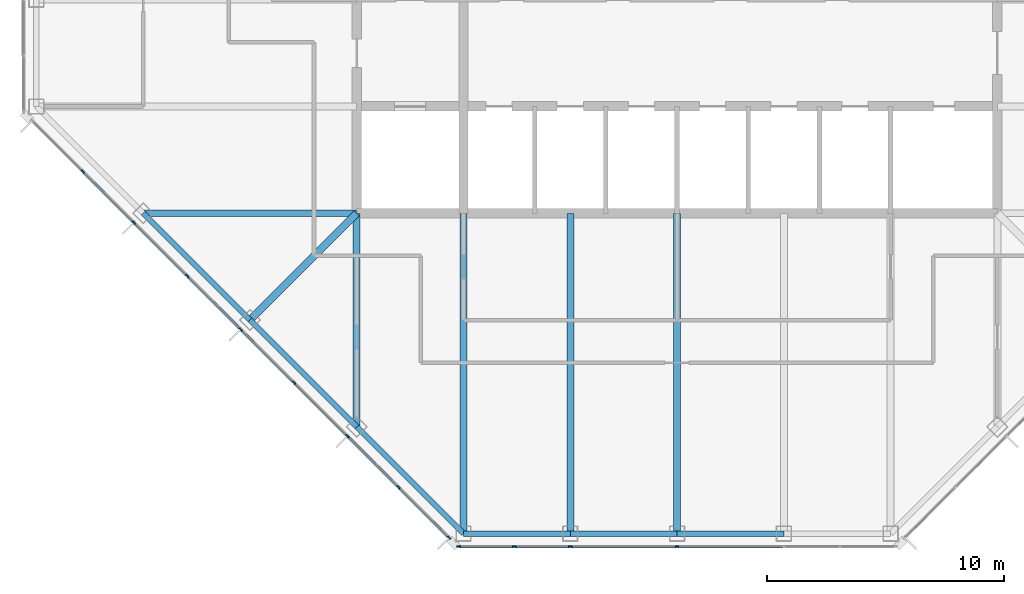
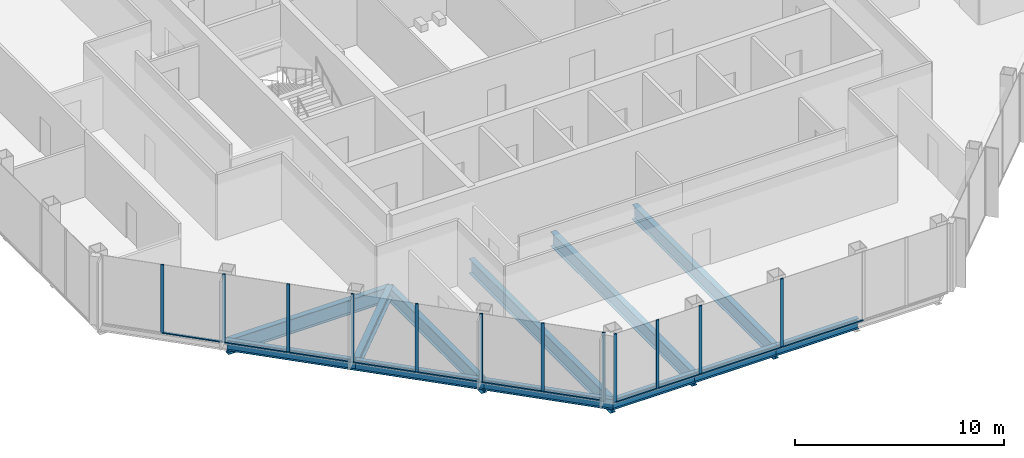
# One storey, part 2 of 14: 23 members, 12 beams, 2 elements without a shape of their own.
"""IFC4 building model written with IfcOpenShell, lengths in metres."""

from ifc_helpers import new_model, si_unit, direction, frame, origin, origin_2d, place, context, subcontext, project, spatial, rectangle, i_section, extrude, material, material_profile, profile_set, type_object, element, aggregate, save


model = new_model("IFC4")

# Units and contexts
model_context = context("Model", 3, precision=1e-05, world=origin(), true_north=direction((0.0, 1.0)))
body_context = subcontext(model_context, "Body", "Model", "MODEL_VIEW")
ifc_project = project(units=[si_unit("LENGTHUNIT", "METRE"), si_unit("AREAUNIT", "SQUARE_METRE"), si_unit("VOLUMEUNIT", "CUBIC_METRE"), si_unit("PLANEANGLEUNIT", "RADIAN"), si_unit("MASSUNIT", "GRAM", prefix="KILO")], contexts=[model_context])

# Site, building, storey
site_placement = place(None, origin())
site = spatial("IfcSite", under=ifc_project, at=site_placement, CompositionType="ELEMENT")
building_placement = place(site_placement, origin())
building = spatial("IfcBuilding", under=site, at=building_placement, Name="Corais Broadcast Tower", CompositionType="ELEMENT")
storey_placement = place(building_placement, frame((0.0, 0.0, 218.60009765625)))
storey = spatial("IfcBuildingStorey", under=building, at=storey_placement, Name="L50", CompositionType="ELEMENT", Elevation=218.60009765625)

# Beams
ifc_material_1 = material(Name="Steel ASTM A572 Grade 50", Category="steel")
ifc_material_profile_1 = material_profile(ifc_material_1, i_section(OverallWidth=0.323974609375, OverallDepth=0.611083984375, WebThickness=0.0126953125, FlangeThickness=0.01904296875, at=origin_2d()), Name="W610x155")
ifc_profile_set_1 = profile_set([ifc_material_profile_1], Name="Steel ASTM A572 Grade 50")
beam_type_1 = type_object("IfcBeamType", Name="Corner diagonal W610x155", PredefinedType="BEAM", material=ifc_profile_set_1)
beam_1_placement = place(storey_placement, frame((9.0, 9.0, -0.465576171875), z_axis=(0.707106781187, 0.707106781187, 0.0), x_axis=(-0.707106781187, 0.707106781187, 0.0)))
element("IfcBeam", 1, at=beam_1_placement, inside=storey, type_object=beam_type_1, Name="B6 C/5 to D/6", PredefinedType="BEAM", context=body_context, shape_type="SweptSolid", body=[
    extrude(i_section(OverallWidth=0.323974609375, OverallDepth=0.611083984375, WebThickness=0.0126953125, FlangeThickness=0.01904296875, at=origin_2d()), origin(), (0.0, 0.0, 1.0), 6.364013671875),
])
ifc_material_2 = material(Name="Steel ASTM A572 Grade 50", Category="steel")
ifc_material_profile_2 = material_profile(ifc_material_2, i_section(OverallWidth=0.2939453125, OverallDepth=0.85107421875, WebThickness=0.01611328125, FlangeThickness=0.02685546875, at=origin_2d()), Name="W840x226")
ifc_profile_set_2 = profile_set([ifc_material_profile_2], Name="Steel ASTM A572 Grade 50")
beam_type_2 = type_object("IfcBeamType", Name="Floor beam W840x226", PredefinedType="BEAM", material=ifc_profile_set_2)
beam_2_placement = place(storey_placement, frame((13.5, 4.5, -0.585693359375), z_axis=(0.0, 1.0, 0.0), x_axis=(-1.0, 0.0, 0.0)))
element("IfcBeam", 2, at=beam_2_placement, inside=storey, type_object=beam_type_2, Name="B1 B/6 to D/6", PredefinedType="BEAM", context=body_context, shape_type="SweptSolid", body=[
    extrude(i_section(OverallWidth=0.2939453125, OverallDepth=0.85107421875, WebThickness=0.01611328125, FlangeThickness=0.02685546875, at=origin_2d()), origin(), (0.0, 0.0, 1.0), 9.0),
])
for number, where, z_axis, x_axis, name in (
    (3, (18.0, 0.0, -0.585693359375), (0.0, 1.0, 0.0), (-1.0, 0.0, 0.0), "B1 A/7 to D/7"),
    (4, (22.5, 0.0, -0.585693359375), (0.0, 1.0, 0.0), (-1.0, 0.0, 0.0), "B1 A/8 to D/8"),
    (5, (27.0, 0.0, -0.585693359375), (0.0, 1.0, 0.0), (-1.0, 0.0, 0.0), "B1 A/9 to D/9"),
):
    element("IfcBeam", number, at=place(storey_placement, frame(where, z_axis=z_axis, x_axis=x_axis)), inside=storey, type_object=beam_type_2, Name=name, PredefinedType="BEAM", context=body_context, shape_type="SweptSolid", body=[
        extrude(i_section(OverallWidth=0.2939453125, OverallDepth=0.85107421875, WebThickness=0.01611328125, FlangeThickness=0.02685546875, at=origin_2d()), origin(), (0.0, 0.0, 1.0), 13.5),
    ])
beam_3_placement = place(storey_placement, frame((4.5, 13.5, -0.585693359375), z_axis=(1.0, 0.0, 0.0), x_axis=(0.0, 1.0, 0.0)))
element("IfcBeam", 6, at=beam_3_placement, inside=storey, type_object=beam_type_2, Name="B1 D/4 to D/6", PredefinedType="BEAM", context=body_context, shape_type="SweptSolid", body=[
    extrude(i_section(OverallWidth=0.2939453125, OverallDepth=0.85107421875, WebThickness=0.01611328125, FlangeThickness=0.02685546875, at=origin_2d()), origin(), (0.0, 0.0, 1.0), 9.0),
])

# Curtain wall, members
ifc_material_3 = material(Name="Aluminium and glass", Category="aluminium")
curtain_wall_type = type_object("IfcCurtainWallType", Name="Unitised fritted curtain wall CW3", PredefinedType="NOTDEFINED", material=ifc_material_3)
curtain_wall_1_placement = place(storey_placement, origin())
curtain_wall_1 = element("IfcCurtainWall", 7, at=curtain_wall_1_placement, inside=storey, type_object=curtain_wall_type, Name="CW3 curtain wall L50 1", PredefinedType="NOTDEFINED")
ifc_material_4 = material(Name="Aluminium 6063-T6", Category="aluminium")
ifc_material_profile_3 = material_profile(ifc_material_4, rectangle(XDim=0.06494140625, YDim=0.159912109375, at=origin_2d()), Name="Mullion CW3 65x160")
ifc_profile_set_3 = profile_set([ifc_material_profile_3], Name="Aluminium 6063-T6")
member_type_1 = type_object("IfcMemberType", Name="Mullion CW3 65x160", PredefinedType="MULLION", material=ifc_profile_set_3)
member_1_placement = place(storey_placement, frame((17.3955078125, -0.17333984375, 0.0), z_axis=(0.0, 0.0, 1.0), x_axis=(-0.707106781187, -0.707106781187, 0.0)))
member_1 = element("IfcMember", 8, at=member_1_placement, type_object=member_type_1, Name="CW3 mullion 1", PredefinedType="MULLION", context=body_context, shape_type="SweptSolid", body=[
    extrude(rectangle(XDim=0.06494140625, YDim=0.159912109375, at=origin_2d()), origin(), (0.0, 0.0, 1.0), 4.0),
])
member_2_placement = place(storey_placement, frame((15.264892578125, 1.957275390625, 0.0), z_axis=(0.0, 0.0, 1.0), x_axis=(-0.707106781187, -0.707106781187, 0.0)))
member_2 = element("IfcMember", 9, at=member_2_placement, type_object=member_type_1, Name="CW3 mullion 2", PredefinedType="MULLION", context=body_context, shape_type="SweptSolid", body=[
    extrude(rectangle(XDim=0.06494140625, YDim=0.159912109375, at=origin_2d()), origin(), (0.0, 0.0, 1.0), 4.0),
])
member_3_placement = place(storey_placement, frame((13.111083984375, 4.111083984375, 0.0), z_axis=(0.0, 0.0, 1.0), x_axis=(-0.707106781187, -0.707106781187, 0.0)))
member_3 = element("IfcMember", 10, at=member_3_placement, type_object=member_type_1, Name="CW3 mullion 3", PredefinedType="MULLION", context=body_context, shape_type="SweptSolid", body=[
    extrude(rectangle(XDim=0.06494140625, YDim=0.159912109375, at=origin_2d()), origin(), (0.0, 0.0, 1.0), 4.0),
])
member_4_placement = place(storey_placement, frame((10.861083984375, 6.361083984375, 0.0), z_axis=(0.0, 0.0, 1.0), x_axis=(-0.707106781187, -0.707106781187, 0.0)))
member_4 = element("IfcMember", 11, at=member_4_placement, type_object=member_type_1, Name="CW3 mullion 4", PredefinedType="MULLION", context=body_context, shape_type="SweptSolid", body=[
    extrude(rectangle(XDim=0.06494140625, YDim=0.159912109375, at=origin_2d()), origin(), (0.0, 0.0, 1.0), 4.0),
])
member_5_placement = place(storey_placement, frame((8.611083984375, 8.611083984375, 0.0), z_axis=(0.0, 0.0, 1.0), x_axis=(-0.707106781187, -0.707106781187, 0.0)))
member_5 = element("IfcMember", 12, at=member_5_placement, type_object=member_type_1, Name="CW3 mullion 5", PredefinedType="MULLION", context=body_context, shape_type="SweptSolid", body=[
    extrude(rectangle(XDim=0.06494140625, YDim=0.159912109375, at=origin_2d()), origin(), (0.0, 0.0, 1.0), 4.0),
])
member_6_placement = place(storey_placement, frame((6.361083984375, 10.861083984375, 0.0), z_axis=(0.0, 0.0, 1.0), x_axis=(-0.707106781187, -0.707106781187, 0.0)))
member_6 = element("IfcMember", 13, at=member_6_placement, type_object=member_type_1, Name="CW3 mullion 6", PredefinedType="MULLION", context=body_context, shape_type="SweptSolid", body=[
    extrude(rectangle(XDim=0.06494140625, YDim=0.159912109375, at=origin_2d()), origin(), (0.0, 0.0, 1.0), 4.0),
])
member_7_placement = place(storey_placement, frame((4.111083984375, 13.111083984375, 0.0), z_axis=(0.0, 0.0, 1.0), x_axis=(-0.707106781187, -0.707106781187, 0.0)))
member_7 = element("IfcMember", 14, at=member_7_placement, type_object=member_type_1, Name="CW3 mullion 7", PredefinedType="MULLION", context=body_context, shape_type="SweptSolid", body=[
    extrude(rectangle(XDim=0.06494140625, YDim=0.159912109375, at=origin_2d()), origin(), (0.0, 0.0, 1.0), 4.0),
])
member_8_placement = place(storey_placement, frame((1.957275390625, 15.264892578125, 0.0), z_axis=(0.0, 0.0, 1.0), x_axis=(-0.707106781187, -0.707106781187, 0.0)))
member_8 = element("IfcMember", 15, at=member_8_placement, type_object=member_type_1, Name="CW3 mullion 8", PredefinedType="MULLION", context=body_context, shape_type="SweptSolid", body=[
    extrude(rectangle(XDim=0.06494140625, YDim=0.159912109375, at=origin_2d()), origin(), (0.0, 0.0, 1.0), 4.0),
])

curtain_wall_2_placement = place(storey_placement, origin())
curtain_wall_2 = element("IfcCurtainWall", 16, at=curtain_wall_2_placement, inside=storey, type_object=curtain_wall_type, Name="CW3 curtain wall L50 8", PredefinedType="NOTDEFINED")
member_9_placement = place(storey_placement, frame((27.0, -0.550048828125, 0.0), z_axis=(0.0, 0.0, 1.0), x_axis=(0.0, -1.0, 0.0)))
member_9 = element("IfcMember", 17, at=member_9_placement, type_object=member_type_1, Name="CW3 mullion 4", PredefinedType="MULLION", context=body_context, shape_type="SweptSolid", body=[
    extrude(rectangle(XDim=0.06494140625, YDim=0.159912109375, at=origin_2d()), origin(), (0.0, 0.0, 1.0), 4.0),
])
member_10_placement = place(storey_placement, frame((22.5, -0.550048828125, 0.0), z_axis=(0.0, 0.0, 1.0), x_axis=(0.0, -1.0, 0.0)))
member_10 = element("IfcMember", 18, at=member_10_placement, type_object=member_type_1, Name="CW3 mullion 5", PredefinedType="MULLION", context=body_context, shape_type="SweptSolid", body=[
    extrude(rectangle(XDim=0.06494140625, YDim=0.159912109375, at=origin_2d()), origin(), (0.0, 0.0, 1.0), 4.0),
])
member_11_placement = place(storey_placement, frame((20.135986328125, -0.550048828125, 0.0), z_axis=(0.0, 0.0, 1.0), x_axis=(0.0, -1.0, 0.0)))
member_11 = element("IfcMember", 19, at=member_11_placement, type_object=member_type_1, Name="CW3 mullion 6", PredefinedType="MULLION", context=body_context, shape_type="SweptSolid", body=[
    extrude(rectangle(XDim=0.06494140625, YDim=0.159912109375, at=origin_2d()), origin(), (0.0, 0.0, 1.0), 4.0),
])
member_12_placement = place(storey_placement, frame((17.8046875, -0.550048828125, 0.0), z_axis=(0.0, 0.0, 1.0), x_axis=(0.0, -1.0, 0.0)))
member_12 = element("IfcMember", 20, at=member_12_placement, type_object=member_type_1, Name="CW3 mullion 7", PredefinedType="MULLION", context=body_context, shape_type="SweptSolid", body=[
    extrude(rectangle(XDim=0.06494140625, YDim=0.159912109375, at=origin_2d()), origin(), (0.0, 0.0, 1.0), 4.0),
])

# Beams
ifc_material_5 = material(Name="Steel ASTM A572 Grade 50", Category="steel")
ifc_material_profile_4 = material_profile(ifc_material_5, i_section(OverallWidth=0.22998046875, OverallDepth=0.616943359375, WebThickness=0.01318359375, FlangeThickness=0.022216796875, at=origin_2d()), Name="W610x140")
ifc_profile_set_4 = profile_set([ifc_material_profile_4], Name="Steel ASTM A572 Grade 50")
beam_type_3 = type_object("IfcBeamType", Name="Spandrel W610x140", PredefinedType="BEAM", material=ifc_profile_set_4)
beam_4_placement = place(storey_placement, frame((13.5, 4.5, -0.468505859375), z_axis=(0.707106781187, -0.707106781187, 0.0), x_axis=(0.707106781187, 0.707106781187, 0.0)))
element("IfcBeam", 21, at=beam_4_placement, inside=storey, type_object=beam_type_3, Name="SB3 B/6 to A/7", PredefinedType="BEAM", context=body_context, shape_type="SweptSolid", body=[
    extrude(i_section(OverallWidth=0.22998046875, OverallDepth=0.616943359375, WebThickness=0.01318359375, FlangeThickness=0.022216796875, at=origin_2d()), origin(), (0.0, 0.0, 1.0), 6.364013671875),
])
for number, where, z_axis, x_axis, name in (
    (22, (18.0, 0.0, -0.468505859375), (1.0, 0.0, 0.0), (0.0, 1.0, 0.0), "SB3 A/7 to A/8"),
    (23, (22.5, 0.0, -0.468505859375), (1.0, 0.0, 0.0), (0.0, 1.0, 0.0), "SB3 A/8 to A/9"),
    (24, (27.0, 0.0, -0.468505859375), (1.0, 0.0, 0.0), (0.0, 1.0, 0.0), "SB3 A/9 to A/10"),
):
    element("IfcBeam", number, at=place(storey_placement, frame(where, z_axis=z_axis, x_axis=x_axis)), inside=storey, type_object=beam_type_3, Name=name, PredefinedType="BEAM", context=body_context, shape_type="SweptSolid", body=[
        extrude(i_section(OverallWidth=0.22998046875, OverallDepth=0.616943359375, WebThickness=0.01318359375, FlangeThickness=0.022216796875, at=origin_2d()), origin(), (0.0, 0.0, 1.0), 4.5),
    ])
for number, where, z_axis, x_axis, name in (
    (25, (4.5, 13.5, -0.468505859375), (0.707106781187, -0.707106781187, 0.0), (0.707106781187, 0.707106781187, 0.0), "SB3 D/4 to C/5"),
    (26, (9.0, 9.0, -0.468505859375), (0.707106781187, -0.707106781187, 0.0), (0.707106781187, 0.707106781187, 0.0), "SB3 C/5 to B/6"),
):
    element("IfcBeam", number, at=place(storey_placement, frame(where, z_axis=z_axis, x_axis=x_axis)), inside=storey, type_object=beam_type_3, Name=name, PredefinedType="BEAM", context=body_context, shape_type="SweptSolid", body=[
        extrude(i_section(OverallWidth=0.22998046875, OverallDepth=0.616943359375, WebThickness=0.01318359375, FlangeThickness=0.022216796875, at=origin_2d()), origin(), (0.0, 0.0, 1.0), 6.364013671875),
    ])

# Member
ifc_material_6 = material(Name="Aluminium 6063-T6", Category="aluminium")
ifc_material_profile_5 = material_profile(ifc_material_6, rectangle(XDim=0.1201171875, YDim=0.06494140625, at=origin_2d()), Name="Transom CW3 65x120")
ifc_profile_set_5 = profile_set([ifc_material_profile_5], Name="Aluminium 6063-T6")
member_type_2 = type_object("IfcMemberType", Name="Transom CW3 65x120", PredefinedType="USERDEFINED", material=ifc_profile_set_5)
member_13_placement = place(storey_placement, frame((17.37255859375, -0.150390625, 0.032470703125), z_axis=(-0.707106781187, 0.707106781187, 0.0), x_axis=(-0.707106781187, -0.707106781187, 0.0)))
member_13 = element("IfcMember", 27, at=member_13_placement, type_object=member_type_2, Name="CW3 transom 1.1", ObjectType="TRANSOM", PredefinedType="USERDEFINED", context=body_context, shape_type="SweptSolid", body=[
    extrude(rectangle(XDim=0.1201171875, YDim=0.06494140625, at=origin_2d()), origin(), (0.0, 0.0, 1.0), 2.9482421875),
])

member_14_placement = place(storey_placement, frame((15.241943359375, 1.980224609375, 0.032470703125), z_axis=(-0.707106781187, 0.707106781187, 0.0), x_axis=(-0.707106781187, -0.707106781187, 0.0)))
member_14 = element("IfcMember", 28, at=member_14_placement, type_object=member_type_2, Name="CW3 transom 2.1", ObjectType="TRANSOM", PredefinedType="USERDEFINED", context=body_context, shape_type="SweptSolid", body=[
    extrude(rectangle(XDim=0.1201171875, YDim=0.06494140625, at=origin_2d()), origin(), (0.0, 0.0, 1.0), 2.98095703125),
])

member_15_placement = place(storey_placement, frame((13.088134765625, 4.134033203125, 0.032470703125), z_axis=(-0.707106781187, 0.707106781187, 0.0), x_axis=(-0.707106781187, -0.707106781187, 0.0)))
member_15 = element("IfcMember", 29, at=member_15_placement, type_object=member_type_2, Name="CW3 transom 3.1", ObjectType="TRANSOM", PredefinedType="USERDEFINED", context=body_context, shape_type="SweptSolid", body=[
    extrude(rectangle(XDim=0.1201171875, YDim=0.06494140625, at=origin_2d()), origin(), (0.0, 0.0, 1.0), 3.1171875),
])

member_16_placement = place(storey_placement, frame((10.838134765625, 6.384033203125, 0.032470703125), z_axis=(-0.707106781187, 0.707106781187, 0.0), x_axis=(-0.707106781187, -0.707106781187, 0.0)))
member_16 = element("IfcMember", 30, at=member_16_placement, type_object=member_type_2, Name="CW3 transom 4.1", ObjectType="TRANSOM", PredefinedType="USERDEFINED", context=body_context, shape_type="SweptSolid", body=[
    extrude(rectangle(XDim=0.1201171875, YDim=0.06494140625, at=origin_2d()), origin(), (0.0, 0.0, 1.0), 3.1171875),
])

member_17_placement = place(storey_placement, frame((8.588134765625, 8.634033203125, 0.032470703125), z_axis=(-0.707106781187, 0.707106781187, 0.0), x_axis=(-0.707106781187, -0.707106781187, 0.0)))
member_17 = element("IfcMember", 31, at=member_17_placement, type_object=member_type_2, Name="CW3 transom 5.1", ObjectType="TRANSOM", PredefinedType="USERDEFINED", context=body_context, shape_type="SweptSolid", body=[
    extrude(rectangle(XDim=0.1201171875, YDim=0.06494140625, at=origin_2d()), origin(), (0.0, 0.0, 1.0), 3.1171875),
])

member_18_placement = place(storey_placement, frame((6.338134765625, 10.884033203125, 0.032470703125), z_axis=(-0.707106781187, 0.707106781187, 0.0), x_axis=(-0.707106781187, -0.707106781187, 0.0)))
member_18 = element("IfcMember", 32, at=member_18_placement, type_object=member_type_2, Name="CW3 transom 6.1", ObjectType="TRANSOM", PredefinedType="USERDEFINED", context=body_context, shape_type="SweptSolid", body=[
    extrude(rectangle(XDim=0.1201171875, YDim=0.06494140625, at=origin_2d()), origin(), (0.0, 0.0, 1.0), 3.1171875),
])

member_19_placement = place(storey_placement, frame((4.088134765625, 13.134033203125, 0.032470703125), z_axis=(-0.707065828661, 0.70714773134, 0.0), x_axis=(-0.70714773134, -0.707065828661, 0.0)))
member_19 = element("IfcMember", 33, at=member_19_placement, type_object=member_type_2, Name="CW3 transom 7.1", ObjectType="TRANSOM", PredefinedType="USERDEFINED", context=body_context, shape_type="SweptSolid", body=[
    extrude(rectangle(XDim=0.1201171875, YDim=0.06494140625, at=origin_2d()), origin(), (0.0, 0.0, 1.0), 2.98095703125),
])

aggregate(curtain_wall_1, [member_1, member_2, member_3, member_4, member_5, member_6, member_7, member_8, member_13, member_14, member_15, member_16, member_17, member_18, member_19])

member_20_placement = place(storey_placement, frame((31.467529296875, -0.550048828125, 0.032470703125), z_axis=(-1.0, 0.0, 0.0), x_axis=(0.0, -1.0, 0.0)))
member_20 = element("IfcMember", 34, at=member_20_placement, type_object=member_type_2, Name="CW3 transom 3.1", ObjectType="TRANSOM", PredefinedType="USERDEFINED", context=body_context, shape_type="SweptSolid", body=[
    extrude(rectangle(XDim=0.1201171875, YDim=0.06494140625, at=origin_2d()), origin(), (0.0, 0.0, 1.0), 4.43505859375),
])

member_21_placement = place(storey_placement, frame((26.967529296875, -0.550048828125, 0.032470703125), z_axis=(-1.0, 0.0, 0.0), x_axis=(0.0, -1.0, 0.0)))
member_21 = element("IfcMember", 35, at=member_21_placement, type_object=member_type_2, Name="CW3 transom 4.1", ObjectType="TRANSOM", PredefinedType="USERDEFINED", context=body_context, shape_type="SweptSolid", body=[
    extrude(rectangle(XDim=0.1201171875, YDim=0.06494140625, at=origin_2d()), origin(), (0.0, 0.0, 1.0), 4.43505859375),
])

member_22_placement = place(storey_placement, frame((22.467529296875, -0.550048828125, 0.032470703125), z_axis=(-1.0, 0.0, 0.0), x_axis=(0.0, -1.0, 0.0)))
member_22 = element("IfcMember", 36, at=member_22_placement, type_object=member_type_2, Name="CW3 transom 5.1", ObjectType="TRANSOM", PredefinedType="USERDEFINED", context=body_context, shape_type="SweptSolid", body=[
    extrude(rectangle(XDim=0.1201171875, YDim=0.06494140625, at=origin_2d()), origin(), (0.0, 0.0, 1.0), 2.298828125),
])

member_23_placement = place(storey_placement, frame((20.103515625, -0.550048828125, 0.032470703125), z_axis=(-1.0, 0.0, 0.0), x_axis=(0.0, -1.0, 0.0)))
member_23 = element("IfcMember", 37, at=member_23_placement, type_object=member_type_2, Name="CW3 transom 6.1", ObjectType="TRANSOM", PredefinedType="USERDEFINED", context=body_context, shape_type="SweptSolid", body=[
    extrude(rectangle(XDim=0.1201171875, YDim=0.06494140625, at=origin_2d()), origin(), (0.0, 0.0, 1.0), 2.266357421875),
])

aggregate(curtain_wall_2, [member_9, member_10, member_11, member_12, member_20, member_21, member_22, member_23])

save(model, "model.ifc")
